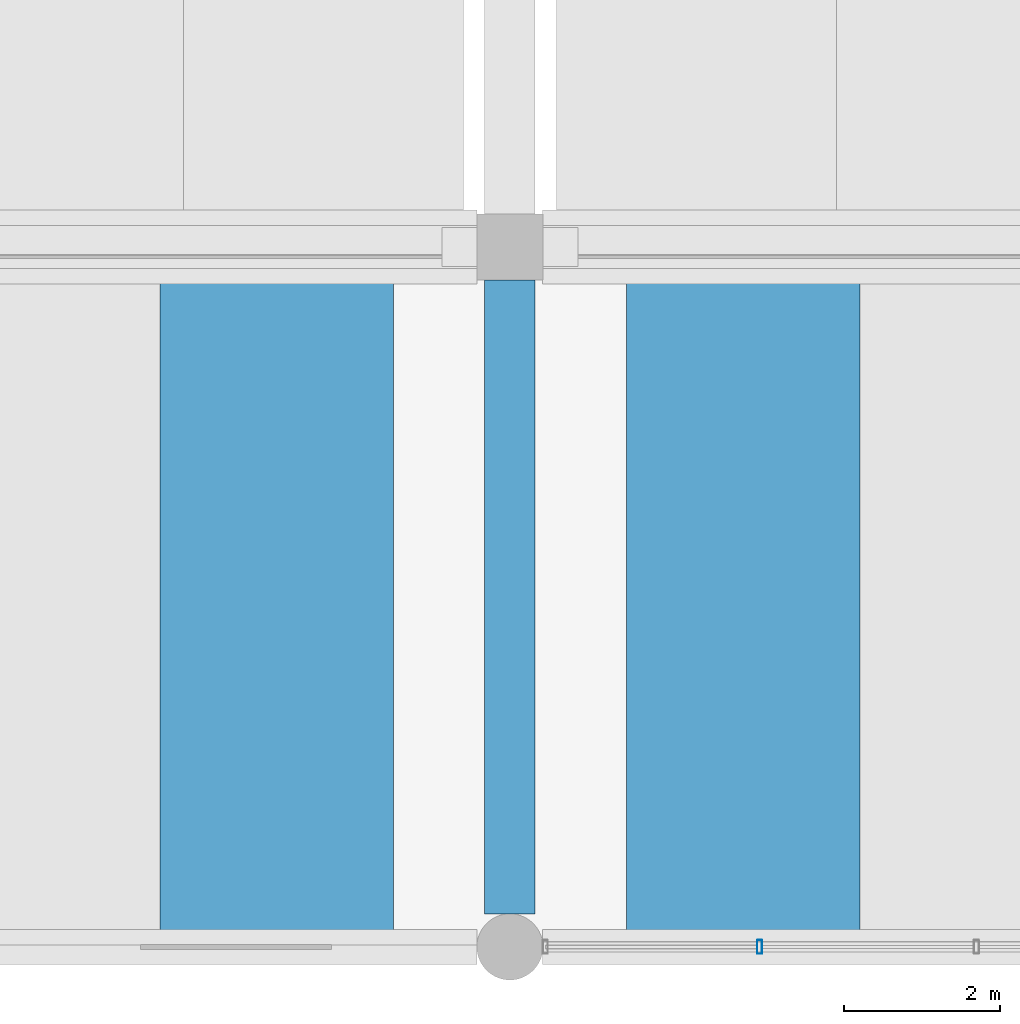
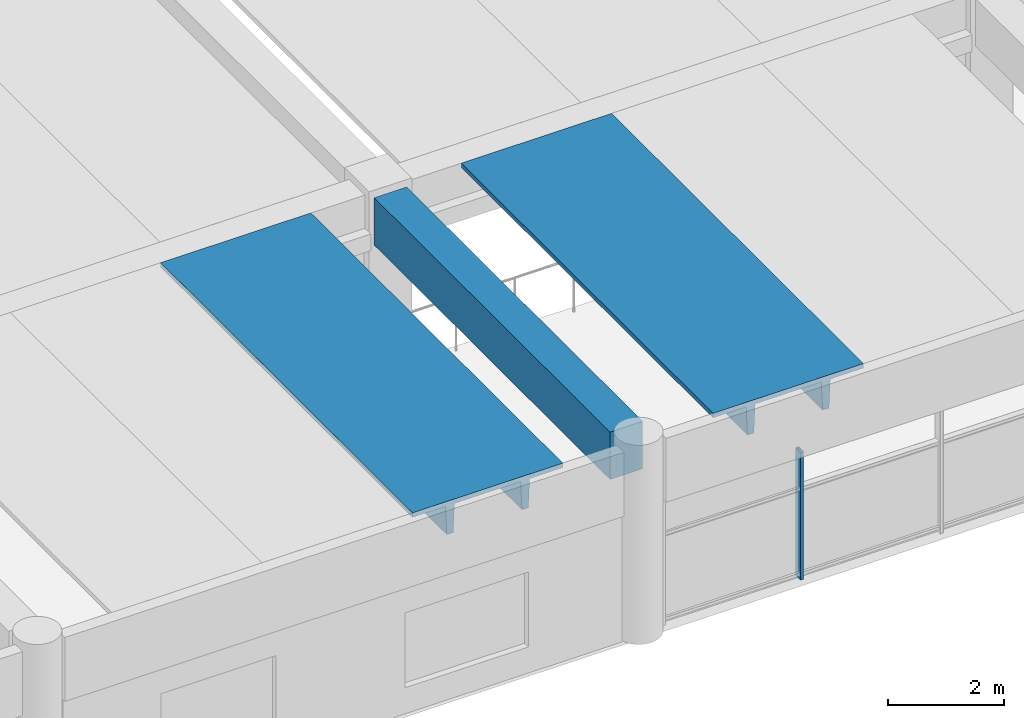
# One storey, part 9 of 50: 3 beams, 1 member, 1 element without a shape of its own.
"""IFC4 building model written with IfcOpenShell, lengths in metres."""

from ifc_helpers import new_model, si_unit, direction, frame, origin, origin_2d, place, context, subcontext, project, spatial, polyline, rectangle, hollow_rectangle, outline, extrude, material, material_profile, profile_set, type_object, element, aggregate, save


model = new_model("IFC4")

# Units and contexts
model_context = context("Model", 3, precision=1e-05, world=origin(), true_north=direction((0.0, 1.0)))
body_context = subcontext(model_context, "Body", "Model", "MODEL_VIEW")
ifc_project = project(units=[si_unit("LENGTHUNIT", "METRE"), si_unit("AREAUNIT", "SQUARE_METRE"), si_unit("VOLUMEUNIT", "CUBIC_METRE"), si_unit("PLANEANGLEUNIT", "RADIAN"), si_unit("MASSUNIT", "GRAM", prefix="KILO")], contexts=[model_context])

# Site, building, storey
site_placement = place(None, origin())
site = spatial("IfcSite", under=ifc_project, at=site_placement, CompositionType="ELEMENT")
building_placement = place(site_placement, origin())
building = spatial("IfcBuilding", under=site, at=building_placement, Name="Girod Span Mobility Hub", CompositionType="ELEMENT")
storey_placement = place(building_placement, frame((0.0, 0.0, 5.39990234375)))
storey = spatial("IfcBuildingStorey", under=building, at=storey_placement, Name="L01", CompositionType="ELEMENT", Elevation=5.39990234375)

# Beams
ifc_material_1 = material(Name="Concrete C50/60", Category="concrete")
ifc_material_profile_1 = material_profile(ifc_material_1, outline(polyline([(-1.5, 0.35009765625), (-1.5, 0.2548828125), (-0.840087890625, 0.2548828125), (-0.81494140625, -0.35009765625), (-0.68505859375, -0.35009765625), (-0.659912109375, 0.2548828125), (0.659912109375, 0.2548828125), (0.68505859375, -0.35009765625), (0.81494140625, -0.35009765625), (0.840087890625, 0.2548828125), (1.5, 0.2548828125), (1.5, 0.35009765625), (-1.5, 0.35009765625)])), Name="DT-3000X700")
ifc_profile_set_1 = profile_set([ifc_material_profile_1], Name="Concrete C50/60")
beam_type_1 = type_object("IfcBeamType", Name="BM-DT-3000X700", PredefinedType="JOIST", material=ifc_profile_set_1)
for number, where, z_axis, x_axis, name in (
    (1, (57.0, 0.02197265625, 3.690185546875), (0.0, 1.0, 0.0), (-1.0, 0.0, 0.0), "Double-Tee Deck 5/A-3 L01"),
    (2, (63.0, 0.02197265625, 3.690185546875), (0.0, 1.0, 0.0), (-1.0, 0.0, 0.0), "Double-Tee Deck 6/A-1 L01"),
):
    element("IfcBeam", number, at=place(storey_placement, frame(where, z_axis=z_axis, x_axis=x_axis)), inside=storey, type_object=beam_type_1, Name=name, PredefinedType="JOIST", context=body_context, shape_type="SweptSolid", body=[
        extrude(outline(polyline([(-1.5, 0.35009765625), (-1.5, 0.2548828125), (-0.840087890625, 0.2548828125), (-0.81494140625, -0.35009765625), (-0.68505859375, -0.35009765625), (-0.659912109375, 0.2548828125), (0.659912109375, 0.2548828125), (0.68505859375, -0.35009765625), (0.81494140625, -0.35009765625), (0.840087890625, 0.2548828125), (1.5, 0.2548828125), (1.5, 0.35009765625), (-1.5, 0.35009765625)])), origin(), (0.0, 0.0, 1.0), 8.7060546875),
    ])
ifc_material_2 = material(Name="Concrete C40/50", Category="concrete")
ifc_material_profile_2 = material_profile(ifc_material_2, rectangle(XDim=0.64990234375, YDim=1.0, at=origin_2d()), Name="TG-650X1000")
ifc_profile_set_2 = profile_set([ifc_material_profile_2], Name="Concrete C40/50")
beam_type_2 = type_object("IfcBeamType", Name="BM-TG-650X1000", PredefinedType="T_BEAM", material=ifc_profile_set_2)
beam_placement = place(storey_placement, frame((60.0, 0.422119140625, 3.5400390625), z_axis=(0.0, 1.0, 0.0), x_axis=(-1.0, 0.0, 0.0)))
element("IfcBeam", 3, at=beam_placement, inside=storey, type_object=beam_type_2, Name="Tie Girder 6/A-B L01", PredefinedType="T_BEAM", context=body_context, shape_type="SweptSolid", body=[
    extrude(rectangle(XDim=0.64990234375, YDim=1.0, at=origin_2d()), origin(), (0.0, 0.0, 1.0), 8.15576171875),
])

# Curtain wall, member
ifc_material_3 = material(Name="Thermally Broken Anodised Aluminium", Category="aluminium")
curtain_wall_type = type_object("IfcCurtainWallType", Name="CW-1115X269", PredefinedType="USERDEFINED", material=ifc_material_3)
curtain_wall_placement = place(storey_placement, origin())
curtain_wall = element("IfcCurtainWall", 4, at=curtain_wall_placement, inside=storey, type_object=curtain_wall_type, Name="Concourse Storefront CW-L01-S06 L01", ObjectType="CONCOURSE STOREFRONT", PredefinedType="USERDEFINED")
ifc_material_4 = material(Name="Thermally Broken Anodised Aluminium", Category="aluminium")
ifc_material_profile_3 = material_profile(ifc_material_4, hollow_rectangle(XDim=0.179931640625, YDim=0.06494140625, WallThickness=0.00390625, InnerFilletRadius=0.00390625, OuterFilletRadius=0.008056640625, at=origin_2d()), Name="CW-ML-65X180")
ifc_profile_set_3 = profile_set([ifc_material_profile_3], Name="Thermally Broken Anodised Aluminium")
member_type = type_object("IfcMemberType", Name="CWM-ML-2", PredefinedType="MULLION", material=ifc_profile_set_3)
member_placement = place(storey_placement, frame((63.21142578125, 0.0, 0.0), z_axis=(0.0, 0.0, 1.0), x_axis=(0.0, 1.0, 0.0)))
member = element("IfcMember", 5, at=member_placement, type_object=member_type, Name="Curtain Wall Mullion CW-L01-S06-M1", PredefinedType="MULLION", context=body_context, shape_type="SweptSolid", body=[
    extrude(hollow_rectangle(XDim=0.179931640625, YDim=0.06494140625, WallThickness=0.00390625, InnerFilletRadius=0.00390625, OuterFilletRadius=0.008056640625, at=origin_2d()), origin(), (0.0, 0.0, 1.0), 2.690185546875),
])
aggregate(curtain_wall, [member])

save(model, "model.ifc")
